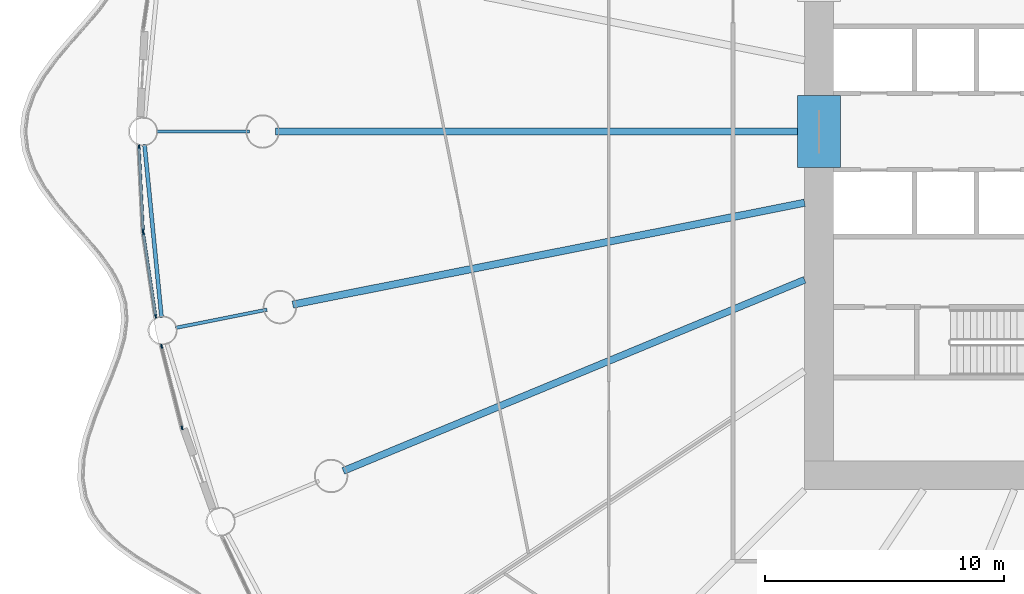
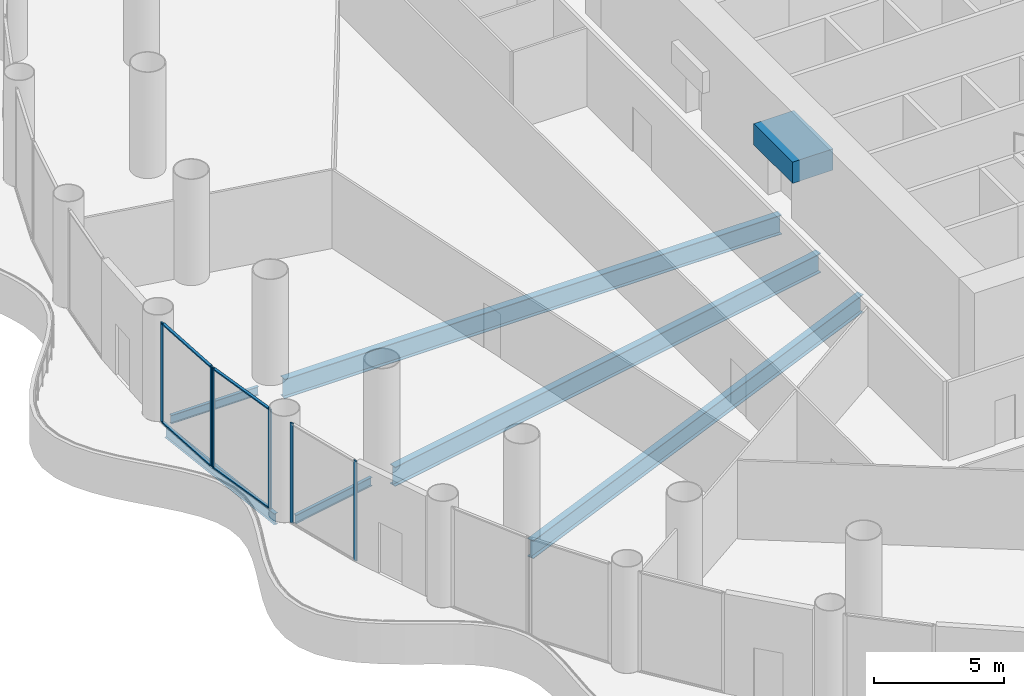
# One storey, part 7 of 35: 10 members, 7 beams, 3 elements without a shape of their own.
"""IFC4 building model written with IfcOpenShell, lengths in metres."""

from ifc_helpers import new_model, si_unit, direction, frame, origin, origin_2d, place, context, subcontext, project, spatial, rectangle, i_section, extrude, material, material_profile, profile_set, type_object, element, aggregate, save


model = new_model("IFC4")

# Units and contexts
model_context = context("Model", 3, precision=1e-05, world=origin(), true_north=direction((0.0, 1.0)))
body_context = subcontext(model_context, "Body", "Model", "MODEL_VIEW")
ifc_project = project(units=[si_unit("LENGTHUNIT", "METRE"), si_unit("AREAUNIT", "SQUARE_METRE"), si_unit("VOLUMEUNIT", "CUBIC_METRE"), si_unit("PLANEANGLEUNIT", "RADIAN"), si_unit("MASSUNIT", "GRAM", prefix="KILO")], contexts=[model_context])

# Site, building, storey
site_placement = place(None, origin())
site = spatial("IfcSite", under=ifc_project, at=site_placement, CompositionType="ELEMENT")
building_placement = place(site_placement, origin())
building = spatial("IfcBuilding", under=site, at=building_placement, Name="Corvane Civic Tower", CompositionType="ELEMENT")
storey_placement = place(building_placement, frame((0.0, 0.0, 22.0)))
storey = spatial("IfcBuildingStorey", under=building, at=storey_placement, Name="L04", CompositionType="ELEMENT", Elevation=22.0)

# Beams
ifc_material_1 = material(Name="Concrete C80/95", Category="concrete")
ifc_material_profile_1 = material_profile(ifc_material_1, rectangle(XDim=1.800048828125, YDim=1.0, at=origin_2d()), Name="COUPLING BEAM 1800X1000")
ifc_profile_set_1 = profile_set([ifc_material_profile_1], Name="Concrete C80/95")
beam_type_1 = type_object("IfcBeamType", Name="COUPLING BEAM COUPLING BEAM 1800X1000", PredefinedType="BEAM", material=ifc_profile_set_1)
beam_1_placement = place(storey_placement, frame((-14.39990234375, -1.5, 2.60009765625), z_axis=(0.0, 1.0, 0.0), x_axis=(-1.0, 0.0, 0.0)))
element("IfcBeam", 1, at=beam_1_placement, inside=storey, type_object=beam_type_1, Name="BM-L04-cpl-CW-LW", PredefinedType="BEAM", context=body_context, shape_type="SweptSolid", body=[
    extrude(rectangle(XDim=1.800048828125, YDim=1.0, at=origin_2d()), origin(), (0.0, 0.0, 1.0), 3.0),
])
ifc_material_2 = material(Name="Steel ASTM A992 Gr 50", Category="steel")
ifc_material_profile_2 = material_profile(ifc_material_2, i_section(OverallWidth=0.165771484375, OverallDepth=0.5283203125, WebThickness=0.009765625, FlangeThickness=0.013671875, at=origin_2d()), Name="W21X50")
ifc_profile_set_2 = profile_set([ifc_material_profile_2], Name="Steel ASTM A992 Gr 50")
beam_type_2 = type_object("IfcBeamType", Name="EDGE BEAM W21X50", PredefinedType="BEAM", material=ifc_profile_set_2)
beam_2_placement = place(storey_placement, frame((-41.93359375, -7.782958984375, -0.564208984375), z_axis=(-0.097984225478, 0.995187967953, 0.0), x_axis=(-0.995187967953, -0.097984225478, 0.0)))
element("IfcBeam", 2, at=beam_2_placement, inside=storey, type_object=beam_type_2, Name="BM-L04-E24", PredefinedType="BEAM", context=body_context, shape_type="SweptSolid", body=[
    extrude(i_section(OverallWidth=0.165771484375, OverallDepth=0.5283203125, WebThickness=0.009765625, FlangeThickness=0.013671875, at=origin_2d()), origin(), (0.0, 0.0, 1.0), 7.2705078125),
])
ifc_material_3 = material(Name="Steel ASTM A992 Gr 50", Category="steel")
ifc_material_profile_3 = material_profile(ifc_material_3, i_section(OverallWidth=0.140380859375, OverallDepth=0.40380859375, WebThickness=0.007080078125, FlangeThickness=0.01123046875, at=origin_2d()), Name="W16X31")
ifc_profile_set_3 = profile_set([ifc_material_profile_3], Name="Steel ASTM A992 Gr 50")
beam_type_3 = type_object("IfcBeamType", Name="FLOOR GIRDER W16X31", PredefinedType="BEAM", material=ifc_profile_set_3)
for number, where, z_axis, x_axis, name in (
    (3, (-37.51513671875, -7.462158203125, -0.501953125), (-0.980777614264, -0.195128858343, 0.0), (0.195128858343, -0.980777614264, 0.0), "BM-L04-G24b"),
    (4, (-38.25, 0.0, -0.501953125), (-1.0, 0.0, 0.0), (0.0, -1.0, 0.0), "BM-L04-G25b"),
):
    element("IfcBeam", number, at=place(storey_placement, frame(where, z_axis=z_axis, x_axis=x_axis)), inside=storey, type_object=beam_type_3, Name=name, PredefinedType="BEAM", context=body_context, shape_type="SweptSolid", body=[
        extrude(i_section(OverallWidth=0.140380859375, OverallDepth=0.40380859375, WebThickness=0.007080078125, FlangeThickness=0.01123046875, at=origin_2d()), origin(), (0.0, 0.0, 1.0), 3.89990234375),
    ])
ifc_material_4 = material(Name="Steel ASTM A992 Gr 50", Category="steel")
ifc_material_profile_4 = material_profile(ifc_material_4, i_section(OverallWidth=0.2919921875, OverallDepth=0.845703125, WebThickness=0.015380859375, FlangeThickness=0.0244140625, at=origin_2d()), Name="W33X141")
ifc_profile_set_4 = profile_set([ifc_material_profile_4], Name="Steel ASTM A992 Gr 50")
beam_type_4 = type_object("IfcBeamType", Name="FLOOR GIRDER W33X141", PredefinedType="BEAM", material=ifc_profile_set_4)
beam_3_placement = place(storey_placement, frame((-15.0, -6.213134765625, -0.722900390625), z_axis=(-0.923875834355, -0.382692360381, 0.0), x_axis=(0.382692360381, -0.923875834355, 0.0)))
element("IfcBeam", 5, at=beam_3_placement, inside=storey, type_object=beam_type_4, Name="BM-L04-G23", PredefinedType="BEAM", context=body_context, shape_type="SweptSolid", body=[
    extrude(i_section(OverallWidth=0.2919921875, OverallDepth=0.845703125, WebThickness=0.015380859375, FlangeThickness=0.0244140625, at=origin_2d()), origin(), (0.0, 0.0, 1.0), 20.9140625),
])
ifc_material_5 = material(Name="Steel ASTM A992 Gr 50", Category="steel")
ifc_material_profile_5 = material_profile(ifc_material_5, i_section(OverallWidth=0.3046875, OverallDepth=0.911865234375, WebThickness=0.015869140625, FlangeThickness=0.02392578125, at=origin_2d()), Name="W36X150")
ifc_profile_set_5 = profile_set([ifc_material_profile_5], Name="Steel ASTM A992 Gr 50")
beam_type_5 = type_object("IfcBeamType", Name="FLOOR GIRDER W36X150", PredefinedType="BEAM", material=ifc_profile_set_5)
beam_4_placement = place(storey_placement, frame((-15.0, -2.983642578125, -0.755859375), z_axis=(-0.980785499679, -0.195089219638, 0.0), x_axis=(0.195089219638, -0.980785499679, 0.0)))
element("IfcBeam", 6, at=beam_4_placement, inside=storey, type_object=beam_type_5, Name="BM-L04-G24", PredefinedType="BEAM", context=body_context, shape_type="SweptSolid", body=[
    extrude(i_section(OverallWidth=0.3046875, OverallDepth=0.911865234375, WebThickness=0.015869140625, FlangeThickness=0.02392578125, at=origin_2d()), origin(), (0.0, 0.0, 1.0), 21.856201171875),
])
beam_5_placement = place(storey_placement, frame((-15.0, 0.0, -0.755859375), z_axis=(-1.0, 0.0, 0.0), x_axis=(0.0, -1.0, 0.0)))
element("IfcBeam", 7, at=beam_5_placement, inside=storey, type_object=beam_type_5, Name="BM-L04-G25", PredefinedType="BEAM", context=body_context, shape_type="SweptSolid", body=[
    extrude(i_section(OverallWidth=0.3046875, OverallDepth=0.911865234375, WebThickness=0.015869140625, FlangeThickness=0.02392578125, at=origin_2d()), origin(), (0.0, 0.0, 1.0), 22.14990234375),
])

# Curtain wall, members
ifc_material_6 = material(Name="Aluminium and glass", Category="aluminium")
curtain_wall_type = type_object("IfcCurtainWallType", Name="PODIUM-CW-P-RUN", PredefinedType="NOTDEFINED", material=ifc_material_6)
curtain_wall_1_placement = place(storey_placement, origin())
curtain_wall_1 = element("IfcCurtainWall", 8, at=curtain_wall_1_placement, inside=storey, type_object=curtain_wall_type, Name="PODI run L04-drum-23B", PredefinedType="NOTDEFINED")
ifc_material_7 = material(Name="Anodised aluminium bronze", Category="aluminium")
ifc_material_profile_6 = material_profile(ifc_material_7, rectangle(XDim=0.06005859375, YDim=0.159912109375, at=origin_2d()), Name="AL 60x160")
ifc_profile_set_6 = profile_set([ifc_material_profile_6], Name="Anodised aluminium bronze")
member_type_1 = type_object("IfcMemberType", Name="PODIUM-CWP-MULLION-60x160", PredefinedType="MULLION", material=ifc_profile_set_6)
member_1_placement = place(storey_placement, frame((-41.0732421875, -12.411865234375, 0.0), z_axis=(0.0, 0.0, 1.0), x_axis=(-0.970024070659, -0.243008852393, 0.0)))
member_1 = element("IfcMember", 9, at=member_1_placement, type_object=member_type_1, Name="CW-P mullion 1", PredefinedType="MULLION", context=body_context, shape_type="SweptSolid", body=[
    extrude(rectangle(XDim=0.06005859375, YDim=0.159912109375, at=origin_2d()), origin(), (0.0, 0.0, 1.0), 4.699951171875),
])
member_2_placement = place(storey_placement, frame((-41.9287109375, -8.99755859375, 0.0), z_axis=(0.0, 0.0, 1.0), x_axis=(-0.970024070659, -0.243008852393, 0.0)))
member_2 = element("IfcMember", 10, at=member_2_placement, type_object=member_type_1, Name="CW-P mullion 2", PredefinedType="MULLION", context=body_context, shape_type="SweptSolid", body=[
    extrude(rectangle(XDim=0.06005859375, YDim=0.159912109375, at=origin_2d()), origin(), (0.0, 0.0, 1.0), 4.699951171875),
])
aggregate(curtain_wall_1, [member_1, member_2])

curtain_wall_2_placement = place(storey_placement, origin())
curtain_wall_2 = element("IfcCurtainWall", 11, at=curtain_wall_2_placement, inside=storey, type_object=curtain_wall_type, Name="PODI run L04-drum-24A", PredefinedType="NOTDEFINED")
member_3_placement = place(storey_placement, frame((-42.18017578125, -7.732666015625, 0.0), z_axis=(0.0, 0.0, 1.0), x_axis=(-0.989178850608, -0.146714694252, 0.0)))
member_3 = element("IfcMember", 12, at=member_3_placement, type_object=member_type_1, Name="CW-P mullion 1", PredefinedType="MULLION", context=body_context, shape_type="SweptSolid", body=[
    extrude(rectangle(XDim=0.06005859375, YDim=0.159912109375, at=origin_2d()), origin(), (0.0, 0.0, 1.0), 4.699951171875),
])
member_4_placement = place(storey_placement, frame((-42.696533203125, -4.2509765625, 0.0), z_axis=(0.0, 0.0, 1.0), x_axis=(-0.989178850608, -0.146714694252, 0.0)))
member_4 = element("IfcMember", 13, at=member_4_placement, type_object=member_type_1, Name="CW-P mullion 2", PredefinedType="MULLION", context=body_context, shape_type="SweptSolid", body=[
    extrude(rectangle(XDim=0.06005859375, YDim=0.159912109375, at=origin_2d()), origin(), (0.0, 0.0, 1.0), 4.699951171875),
])

curtain_wall_3_placement = place(storey_placement, origin())
curtain_wall_3 = element("IfcCurtainWall", 14, at=curtain_wall_3_placement, inside=storey, type_object=curtain_wall_type, Name="PODI run L04-drum-24B", PredefinedType="NOTDEFINED")
member_5_placement = place(storey_placement, frame((-42.70556640625, -4.16064453125, 0.0), z_axis=(0.0, 0.0, 1.0), x_axis=(-0.998796316803, -0.04905015332, 0.0)))
member_5 = element("IfcMember", 15, at=member_5_placement, type_object=member_type_1, Name="CW-P mullion 1", PredefinedType="MULLION", context=body_context, shape_type="SweptSolid", body=[
    extrude(rectangle(XDim=0.06005859375, YDim=0.159912109375, at=origin_2d()), origin(), (0.0, 0.0, 1.0), 4.699951171875),
])
member_6_placement = place(storey_placement, frame((-42.878173828125, -0.644775390625, 0.0), z_axis=(0.0, 0.0, 1.0), x_axis=(-0.998796316803, -0.04905015332, 0.0)))
member_6 = element("IfcMember", 16, at=member_6_placement, type_object=member_type_1, Name="CW-P mullion 2", PredefinedType="MULLION", context=body_context, shape_type="SweptSolid", body=[
    extrude(rectangle(XDim=0.06005859375, YDim=0.159912109375, at=origin_2d()), origin(), (0.0, 0.0, 1.0), 4.699951171875),
])

# Member
ifc_material_8 = material(Name="Anodised aluminium bronze", Category="aluminium")
ifc_material_profile_7 = material_profile(ifc_material_8, rectangle(XDim=0.1201171875, YDim=0.06005859375, at=origin_2d()), Name="AL 120x60")
ifc_profile_set_7 = profile_set([ifc_material_profile_7], Name="Anodised aluminium bronze")
member_type_2 = type_object("IfcMemberType", Name="PODIUM-CWP-TRANSOM-60x120", PredefinedType="USERDEFINED", material=ifc_profile_set_7)
member_7_placement = place(storey_placement, frame((-42.1845703125, -7.703125, 0.030029296875), z_axis=(-0.146704660039, 0.989180338828, 0.0), x_axis=(-0.989180338828, -0.146704660039, 0.0)))
member_7 = element("IfcMember", 17, at=member_7_placement, type_object=member_type_2, Name="CW-P transom 1.1", ObjectType="TRANSOM", PredefinedType="USERDEFINED", context=body_context, shape_type="SweptSolid", body=[
    extrude(rectangle(XDim=0.1201171875, YDim=0.06005859375, at=origin_2d()), origin(), (0.0, 0.0, 1.0), 3.459716796875),
])

member_8_placement = place(storey_placement, frame((-42.1845703125, -7.703125, 4.669921875), z_axis=(-0.146704660039, 0.989180338828, 0.0), x_axis=(-0.989180338828, -0.146704660039, 0.0)))
member_8 = element("IfcMember", 18, at=member_8_placement, type_object=member_type_2, Name="CW-P transom 1.2", ObjectType="TRANSOM", PredefinedType="USERDEFINED", context=body_context, shape_type="SweptSolid", body=[
    extrude(rectangle(XDim=0.1201171875, YDim=0.06005859375, at=origin_2d()), origin(), (0.0, 0.0, 1.0), 3.459716796875),
])

aggregate(curtain_wall_2, [member_3, member_4, member_7, member_8])

member_9_placement = place(storey_placement, frame((-42.70703125, -4.130615234375, 0.030029296875), z_axis=(-0.049040182301, 0.998796806423, 0.0), x_axis=(-0.998796806423, -0.049040182301, 0.0)))
member_9 = element("IfcMember", 19, at=member_9_placement, type_object=member_type_2, Name="CW-P transom 1.1", ObjectType="TRANSOM", PredefinedType="USERDEFINED", context=body_context, shape_type="SweptSolid", body=[
    extrude(rectangle(XDim=0.1201171875, YDim=0.06005859375, at=origin_2d()), origin(), (0.0, 0.0, 1.0), 3.4599609375),
])

member_10_placement = place(storey_placement, frame((-42.70703125, -4.130615234375, 4.669921875), z_axis=(-0.049040182301, 0.998796806423, 0.0), x_axis=(-0.998796806423, -0.049040182301, 0.0)))
member_10 = element("IfcMember", 20, at=member_10_placement, type_object=member_type_2, Name="CW-P transom 1.2", ObjectType="TRANSOM", PredefinedType="USERDEFINED", context=body_context, shape_type="SweptSolid", body=[
    extrude(rectangle(XDim=0.1201171875, YDim=0.06005859375, at=origin_2d()), origin(), (0.0, 0.0, 1.0), 3.4599609375),
])

aggregate(curtain_wall_3, [member_5, member_6, member_9, member_10])

save(model, "model.ifc")
